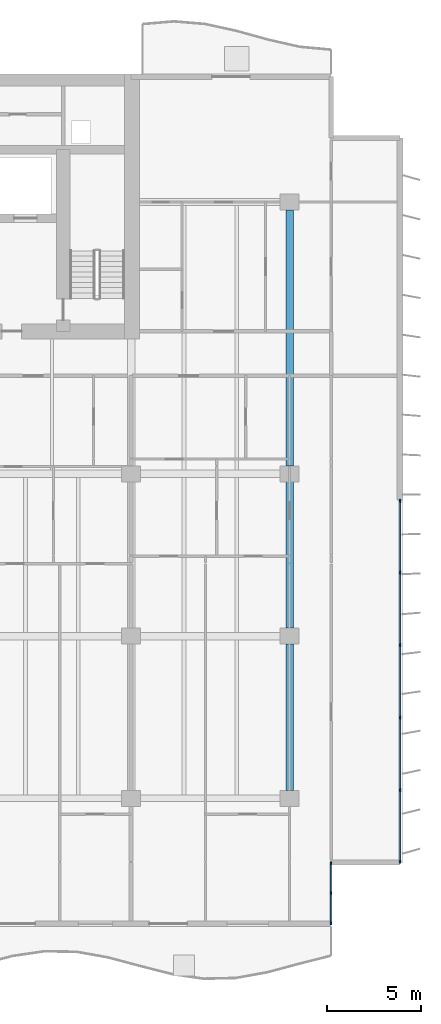
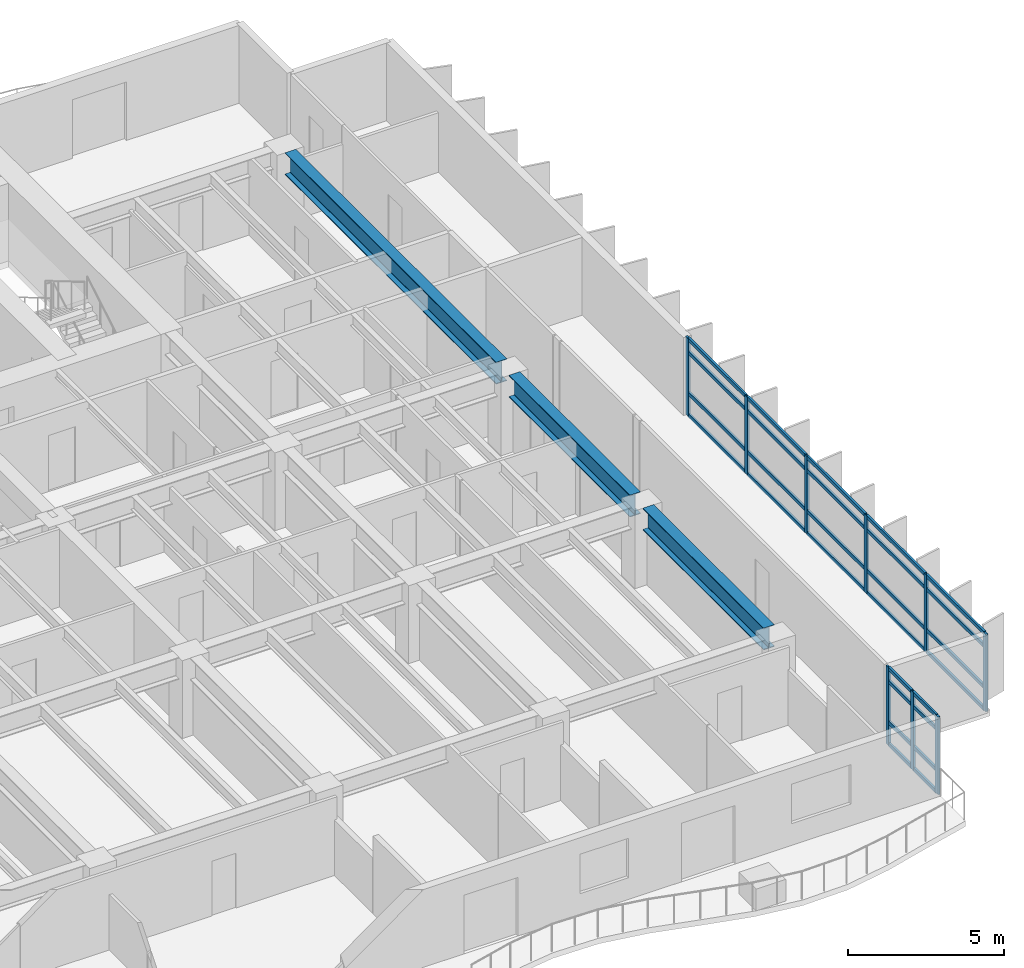
# One storey, part 4 of 17: 37 members, 3 beams, 2 elements without a shape of their own.
"""IFC4 building model written with IfcOpenShell, lengths in metres."""

from ifc_helpers import new_model, si_unit, direction, frame, origin, origin_2d, place, context, subcontext, project, spatial, rectangle, i_section, extrude, material, layer, layer_set, material_profile, profile_set, type_object, element, aggregate, save


model = new_model("IFC4")

# Units and contexts
model_context = context("Model", 3, precision=1e-05, world=origin(), true_north=direction((0.0, 1.0)))
body_context = subcontext(model_context, "Body", "Model", "MODEL_VIEW")
ifc_project = project(units=[si_unit("LENGTHUNIT", "METRE"), si_unit("AREAUNIT", "SQUARE_METRE"), si_unit("VOLUMEUNIT", "CUBIC_METRE"), si_unit("PLANEANGLEUNIT", "RADIAN"), si_unit("MASSUNIT", "GRAM", prefix="KILO")], contexts=[model_context])

# Site, building, storey
site_placement = place(None, origin())
site = spatial("IfcSite", under=ifc_project, at=site_placement, CompositionType="ELEMENT")
building_placement = place(site_placement, origin())
building = spatial("IfcBuilding", under=site, at=building_placement, Name="Caelmar Bay Residences", CompositionType="ELEMENT")
storey_placement = place(building_placement, frame((0.0, 0.0, 105.89990234375)))
storey = spatial("IfcBuildingStorey", under=building, at=storey_placement, Name="L28", CompositionType="ELEMENT", Elevation=105.89990234375)

# Beams
ifc_material_1 = material(Name="Steel ASTM A992 Grade 50", Category="steel")
ifc_material_profile_1 = material_profile(ifc_material_1, i_section(OverallWidth=0.40087890625, OverallDepth=0.861083984375, WebThickness=0.019775390625, FlangeThickness=0.032470703125, FilletRadius=0.017822265625, at=origin_2d()), Name="W33X221")
ifc_profile_set_1 = profile_set([ifc_material_profile_1], Name="Steel ASTM A992 Grade 50")
beam_type = type_object("IfcBeamType", Name="BM-GRD-W33X221", PredefinedType="BEAM", material=ifc_profile_set_1)
for number, where, z_axis, x_axis, name in (
    (1, (67.89990234375, 12.614990234375, 2.61962890625), (0.0, 1.0, 0.0), (-1.0, 0.0, 0.0), "L28 North-South Girder X=67.90 (12.2-20.8)"),
    (2, (67.89990234375, 21.215087890625, 2.61962890625), (0.0, 1.0, 0.0), (-1.0, 0.0, 0.0), "L28 North-South Girder X=67.90 (20.8-29.4)"),
):
    element("IfcBeam", number, at=place(storey_placement, frame(where, z_axis=z_axis, x_axis=x_axis)), inside=storey, type_object=beam_type, Name=name, PredefinedType="BEAM", context=body_context, shape_type="SweptSolid", body=[
        extrude(i_section(OverallWidth=0.40087890625, OverallDepth=0.861083984375, WebThickness=0.019775390625, FlangeThickness=0.032470703125, FilletRadius=0.017822265625, at=origin_2d()), origin(), (0.0, 0.0, 1.0), 7.77001953125),
    ])
beam_placement = place(storey_placement, frame((67.89990234375, 29.81494140625, 2.61962890625), z_axis=(0.0, 1.0, 0.0), x_axis=(-1.0, 0.0, 0.0)))
element("IfcBeam", 3, at=beam_placement, inside=storey, type_object=beam_type, Name="L28 North-South Girder X=67.90 (29.4-43.8)", PredefinedType="BEAM", context=body_context, shape_type="SweptSolid", body=[
    extrude(i_section(OverallWidth=0.40087890625, OverallDepth=0.861083984375, WebThickness=0.019775390625, FlangeThickness=0.032470703125, FilletRadius=0.017822265625, at=origin_2d()), origin(), (0.0, 0.0, 1.0), 13.570068359375),
])

# Curtain wall, members
ifc_material_2 = material(Name="Anodised bronze aluminium 6063-T6 and laminated glass", Category="aluminium")
ifc_layer_1 = layer(ifc_material_2, 0.179931640625)
ifc_layer_set_1 = layer_set([ifc_layer_1], Name="Anodised bronze aluminium 6063-T6 and laminated glass")
curtain_wall_type_1 = type_object("IfcCurtainWallType", Name="CW6-NTC", PredefinedType="NOTDEFINED", material=ifc_layer_set_1)
curtain_wall_1_placement = place(storey_placement, origin())
curtain_wall_1 = element("IfcCurtainWall", 4, at=curtain_wall_1_placement, inside=storey, type_object=curtain_wall_type_1, Name="CW6 curtain wall L28", PredefinedType="NOTDEFINED")
ifc_material_3 = material(Name="Anodised bronze aluminium 6063-T6", Category="aluminium")
ifc_material_profile_2 = material_profile(ifc_material_3, rectangle(XDim=0.080078125, YDim=0.179931640625, at=origin_2d()), Name="CWM-80X180")
ifc_profile_set_2 = profile_set([ifc_material_profile_2], Name="Anodised bronze aluminium 6063-T6")
member_type_1 = type_object("IfcMemberType", Name="CWM-180", PredefinedType="MULLION", material=ifc_profile_set_2)
member_1_placement = place(storey_placement, frame((70.10009765625, 5.590087890625, 0.0), z_axis=(0.0, 0.0, 1.0), x_axis=(-1.0, 0.0, 0.0)))
member_1 = element("IfcMember", 5, at=member_1_placement, type_object=member_type_1, Name="CW6 mullion 1", PredefinedType="MULLION", context=body_context, shape_type="SweptSolid", body=[
    extrude(rectangle(XDim=0.080078125, YDim=0.179931640625, at=origin_2d()), origin(), (0.0, 0.0, 1.0), 3.050048828125),
])
member_2_placement = place(storey_placement, frame((70.10009765625, 7.175048828125, 0.0), z_axis=(0.0, 0.0, 1.0), x_axis=(-1.0, 0.0, 0.0)))
member_2 = element("IfcMember", 6, at=member_2_placement, type_object=member_type_1, Name="CW6 mullion 2", PredefinedType="MULLION", context=body_context, shape_type="SweptSolid", body=[
    extrude(rectangle(XDim=0.080078125, YDim=0.179931640625, at=origin_2d()), origin(), (0.0, 0.0, 1.0), 3.050048828125),
])
member_3_placement = place(storey_placement, frame((70.10009765625, 8.760009765625, 0.0), z_axis=(0.0, 0.0, 1.0), x_axis=(-1.0, 0.0, 0.0)))
member_3 = element("IfcMember", 7, at=member_3_placement, type_object=member_type_1, Name="CW6 mullion 3", PredefinedType="MULLION", context=body_context, shape_type="SweptSolid", body=[
    extrude(rectangle(XDim=0.080078125, YDim=0.179931640625, at=origin_2d()), origin(), (0.0, 0.0, 1.0), 3.050048828125),
])

ifc_layer_2 = layer(ifc_material_2, 0.179931640625)
ifc_layer_set_2 = layer_set([ifc_layer_2], Name="Anodised bronze aluminium 6063-T6 and laminated glass")
curtain_wall_type_2 = type_object("IfcCurtainWallType", Name="CW3-Z2", PredefinedType="NOTDEFINED", material=ifc_layer_set_2)
curtain_wall_2_placement = place(storey_placement, origin())
curtain_wall_2 = element("IfcCurtainWall", 8, at=curtain_wall_2_placement, inside=storey, type_object=curtain_wall_type_2, Name="CW3 curtain wall L28", PredefinedType="NOTDEFINED")
member_4_placement = place(storey_placement, frame((73.75, 27.9599609375, 0.0), z_axis=(0.0, 0.0, 1.0), x_axis=(1.0, 0.0, 0.0)))
member_4 = element("IfcMember", 9, at=member_4_placement, type_object=member_type_1, Name="CW3 mullion 1", PredefinedType="MULLION", context=body_context, shape_type="SweptSolid", body=[
    extrude(rectangle(XDim=0.080078125, YDim=0.179931640625, at=origin_2d()), origin(), (0.0, 0.0, 1.0), 3.050048828125),
])
member_5_placement = place(storey_placement, frame((73.75, 24.159912109375, 0.0), z_axis=(0.0, 0.0, 1.0), x_axis=(1.0, 0.0, 0.0)))
member_5 = element("IfcMember", 10, at=member_5_placement, type_object=member_type_1, Name="CW3 mullion 2", PredefinedType="MULLION", context=body_context, shape_type="SweptSolid", body=[
    extrude(rectangle(XDim=0.080078125, YDim=0.179931640625, at=origin_2d()), origin(), (0.0, 0.0, 1.0), 3.050048828125),
])
member_6_placement = place(storey_placement, frame((73.75, 20.320068359375, 0.0), z_axis=(0.0, 0.0, 1.0), x_axis=(1.0, 0.0, 0.0)))
member_6 = element("IfcMember", 11, at=member_6_placement, type_object=member_type_1, Name="CW3 mullion 3", PredefinedType="MULLION", context=body_context, shape_type="SweptSolid", body=[
    extrude(rectangle(XDim=0.080078125, YDim=0.179931640625, at=origin_2d()), origin(), (0.0, 0.0, 1.0), 3.050048828125),
])
member_7_placement = place(storey_placement, frame((73.75, 16.47998046875, 0.0), z_axis=(0.0, 0.0, 1.0), x_axis=(1.0, 0.0, 0.0)))
member_7 = element("IfcMember", 12, at=member_7_placement, type_object=member_type_1, Name="CW3 mullion 4", PredefinedType="MULLION", context=body_context, shape_type="SweptSolid", body=[
    extrude(rectangle(XDim=0.080078125, YDim=0.179931640625, at=origin_2d()), origin(), (0.0, 0.0, 1.0), 3.050048828125),
])
member_8_placement = place(storey_placement, frame((73.75, 12.639892578125, 0.0), z_axis=(0.0, 0.0, 1.0), x_axis=(1.0, 0.0, 0.0)))
member_8 = element("IfcMember", 13, at=member_8_placement, type_object=member_type_1, Name="CW3 mullion 5", PredefinedType="MULLION", context=body_context, shape_type="SweptSolid", body=[
    extrude(rectangle(XDim=0.080078125, YDim=0.179931640625, at=origin_2d()), origin(), (0.0, 0.0, 1.0), 3.050048828125),
])
member_9_placement = place(storey_placement, frame((73.75, 8.840087890625, 0.0), z_axis=(0.0, 0.0, 1.0), x_axis=(1.0, 0.0, 0.0)))
member_9 = element("IfcMember", 14, at=member_9_placement, type_object=member_type_1, Name="CW3 mullion 6", PredefinedType="MULLION", context=body_context, shape_type="SweptSolid", body=[
    extrude(rectangle(XDim=0.080078125, YDim=0.179931640625, at=origin_2d()), origin(), (0.0, 0.0, 1.0), 3.050048828125),
])

# Member
ifc_material_profile_3 = material_profile(ifc_material_3, rectangle(XDim=0.080078125, YDim=0.139892578125, at=origin_2d()), Name="CWT-80X140")
ifc_profile_set_3 = profile_set([ifc_material_profile_3], Name="Anodised bronze aluminium 6063-T6")
member_type_2 = type_object("IfcMemberType", Name="CWT-140", PredefinedType="NOTDEFINED", material=ifc_profile_set_3)
member_10_placement = place(storey_placement, frame((70.10009765625, 5.6298828125, 0.0400390625), z_axis=(0.0, 1.0, 0.0), x_axis=(-1.0, 0.0, 0.0)))
member_10 = element("IfcMember", 15, at=member_10_placement, type_object=member_type_2, Name="CW6 transom 1.1", ObjectType="TRANSOM", PredefinedType="USERDEFINED", context=body_context, shape_type="SweptSolid", body=[
    extrude(rectangle(XDim=0.080078125, YDim=0.139892578125, at=origin_2d()), origin(), (0.0, 0.0, 1.0), 1.505126953125),
])

member_11_placement = place(storey_placement, frame((70.10009765625, 5.6298828125, 0.900146484375), z_axis=(0.0, 1.0, 0.0), x_axis=(-1.0, 0.0, 0.0)))
member_11 = element("IfcMember", 16, at=member_11_placement, type_object=member_type_2, Name="CW6 transom 1.2", ObjectType="TRANSOM", PredefinedType="USERDEFINED", context=body_context, shape_type="SweptSolid", body=[
    extrude(rectangle(XDim=0.080078125, YDim=0.139892578125, at=origin_2d()), origin(), (0.0, 0.0, 1.0), 1.505126953125),
])

member_12_placement = place(storey_placement, frame((70.10009765625, 5.6298828125, 2.5), z_axis=(0.0, 1.0, 0.0), x_axis=(-1.0, 0.0, 0.0)))
member_12 = element("IfcMember", 17, at=member_12_placement, type_object=member_type_2, Name="CW6 transom 1.3", ObjectType="TRANSOM", PredefinedType="USERDEFINED", context=body_context, shape_type="SweptSolid", body=[
    extrude(rectangle(XDim=0.080078125, YDim=0.139892578125, at=origin_2d()), origin(), (0.0, 0.0, 1.0), 1.505126953125),
])

member_13_placement = place(storey_placement, frame((70.10009765625, 5.6298828125, 3.010009765625), z_axis=(0.0, 1.0, 0.0), x_axis=(-1.0, 0.0, 0.0)))
member_13 = element("IfcMember", 18, at=member_13_placement, type_object=member_type_2, Name="CW6 transom 1.4", ObjectType="TRANSOM", PredefinedType="USERDEFINED", context=body_context, shape_type="SweptSolid", body=[
    extrude(rectangle(XDim=0.080078125, YDim=0.139892578125, at=origin_2d()), origin(), (0.0, 0.0, 1.0), 1.505126953125),
])

member_14_placement = place(storey_placement, frame((70.10009765625, 7.215087890625, 0.0400390625), z_axis=(0.0, 1.0, 0.0), x_axis=(-1.0, 0.0, 0.0)))
member_14 = element("IfcMember", 19, at=member_14_placement, type_object=member_type_2, Name="CW6 transom 2.1", ObjectType="TRANSOM", PredefinedType="USERDEFINED", context=body_context, shape_type="SweptSolid", body=[
    extrude(rectangle(XDim=0.080078125, YDim=0.139892578125, at=origin_2d()), origin(), (0.0, 0.0, 1.0), 1.5048828125),
])

member_15_placement = place(storey_placement, frame((70.10009765625, 7.215087890625, 0.900146484375), z_axis=(0.0, 1.0, 0.0), x_axis=(-1.0, 0.0, 0.0)))
member_15 = element("IfcMember", 20, at=member_15_placement, type_object=member_type_2, Name="CW6 transom 2.2", ObjectType="TRANSOM", PredefinedType="USERDEFINED", context=body_context, shape_type="SweptSolid", body=[
    extrude(rectangle(XDim=0.080078125, YDim=0.139892578125, at=origin_2d()), origin(), (0.0, 0.0, 1.0), 1.5048828125),
])

member_16_placement = place(storey_placement, frame((70.10009765625, 7.215087890625, 2.5), z_axis=(0.0, 1.0, 0.0), x_axis=(-1.0, 0.0, 0.0)))
member_16 = element("IfcMember", 21, at=member_16_placement, type_object=member_type_2, Name="CW6 transom 2.3", ObjectType="TRANSOM", PredefinedType="USERDEFINED", context=body_context, shape_type="SweptSolid", body=[
    extrude(rectangle(XDim=0.080078125, YDim=0.139892578125, at=origin_2d()), origin(), (0.0, 0.0, 1.0), 1.5048828125),
])

member_17_placement = place(storey_placement, frame((70.10009765625, 7.215087890625, 3.010009765625), z_axis=(0.0, 1.0, 0.0), x_axis=(-1.0, 0.0, 0.0)))
member_17 = element("IfcMember", 22, at=member_17_placement, type_object=member_type_2, Name="CW6 transom 2.4", ObjectType="TRANSOM", PredefinedType="USERDEFINED", context=body_context, shape_type="SweptSolid", body=[
    extrude(rectangle(XDim=0.080078125, YDim=0.139892578125, at=origin_2d()), origin(), (0.0, 0.0, 1.0), 1.5048828125),
])

aggregate(curtain_wall_1, [member_1, member_2, member_3, member_10, member_11, member_12, member_13, member_14, member_15, member_16, member_17])

member_18_placement = place(storey_placement, frame((73.75, 27.919921875, 0.0400390625), z_axis=(0.0, -1.0, 0.0), x_axis=(1.0, 0.0, 0.0)))
member_18 = element("IfcMember", 23, at=member_18_placement, type_object=member_type_2, Name="CW3 transom 1.1", ObjectType="TRANSOM", PredefinedType="USERDEFINED", context=body_context, shape_type="SweptSolid", body=[
    extrude(rectangle(XDim=0.080078125, YDim=0.139892578125, at=origin_2d()), origin(), (0.0, 0.0, 1.0), 3.719970703125),
])

member_19_placement = place(storey_placement, frame((73.75, 27.919921875, 0.900146484375), z_axis=(0.0, -1.0, 0.0), x_axis=(1.0, 0.0, 0.0)))
member_19 = element("IfcMember", 24, at=member_19_placement, type_object=member_type_2, Name="CW3 transom 1.2", ObjectType="TRANSOM", PredefinedType="USERDEFINED", context=body_context, shape_type="SweptSolid", body=[
    extrude(rectangle(XDim=0.080078125, YDim=0.139892578125, at=origin_2d()), origin(), (0.0, 0.0, 1.0), 3.719970703125),
])

member_20_placement = place(storey_placement, frame((73.75, 27.919921875, 2.5), z_axis=(0.0, -1.0, 0.0), x_axis=(1.0, 0.0, 0.0)))
member_20 = element("IfcMember", 25, at=member_20_placement, type_object=member_type_2, Name="CW3 transom 1.3", ObjectType="TRANSOM", PredefinedType="USERDEFINED", context=body_context, shape_type="SweptSolid", body=[
    extrude(rectangle(XDim=0.080078125, YDim=0.139892578125, at=origin_2d()), origin(), (0.0, 0.0, 1.0), 3.719970703125),
])

member_21_placement = place(storey_placement, frame((73.75, 27.919921875, 3.010009765625), z_axis=(0.0, -1.0, 0.0), x_axis=(1.0, 0.0, 0.0)))
member_21 = element("IfcMember", 26, at=member_21_placement, type_object=member_type_2, Name="CW3 transom 1.4", ObjectType="TRANSOM", PredefinedType="USERDEFINED", context=body_context, shape_type="SweptSolid", body=[
    extrude(rectangle(XDim=0.080078125, YDim=0.139892578125, at=origin_2d()), origin(), (0.0, 0.0, 1.0), 3.719970703125),
])

member_22_placement = place(storey_placement, frame((73.75, 24.1201171875, 0.0400390625), z_axis=(0.0, -1.0, 0.0), x_axis=(1.0, 0.0, 0.0)))
member_22 = element("IfcMember", 27, at=member_22_placement, type_object=member_type_2, Name="CW3 transom 2.1", ObjectType="TRANSOM", PredefinedType="USERDEFINED", context=body_context, shape_type="SweptSolid", body=[
    extrude(rectangle(XDim=0.080078125, YDim=0.139892578125, at=origin_2d()), origin(), (0.0, 0.0, 1.0), 3.760009765625),
])

member_23_placement = place(storey_placement, frame((73.75, 24.1201171875, 0.900146484375), z_axis=(0.0, -1.0, 0.0), x_axis=(1.0, 0.0, 0.0)))
member_23 = element("IfcMember", 28, at=member_23_placement, type_object=member_type_2, Name="CW3 transom 2.2", ObjectType="TRANSOM", PredefinedType="USERDEFINED", context=body_context, shape_type="SweptSolid", body=[
    extrude(rectangle(XDim=0.080078125, YDim=0.139892578125, at=origin_2d()), origin(), (0.0, 0.0, 1.0), 3.760009765625),
])

member_24_placement = place(storey_placement, frame((73.75, 24.1201171875, 2.5), z_axis=(0.0, -1.0, 0.0), x_axis=(1.0, 0.0, 0.0)))
member_24 = element("IfcMember", 29, at=member_24_placement, type_object=member_type_2, Name="CW3 transom 2.3", ObjectType="TRANSOM", PredefinedType="USERDEFINED", context=body_context, shape_type="SweptSolid", body=[
    extrude(rectangle(XDim=0.080078125, YDim=0.139892578125, at=origin_2d()), origin(), (0.0, 0.0, 1.0), 3.760009765625),
])

member_25_placement = place(storey_placement, frame((73.75, 24.1201171875, 3.010009765625), z_axis=(0.0, -1.0, 0.0), x_axis=(1.0, 0.0, 0.0)))
member_25 = element("IfcMember", 30, at=member_25_placement, type_object=member_type_2, Name="CW3 transom 2.4", ObjectType="TRANSOM", PredefinedType="USERDEFINED", context=body_context, shape_type="SweptSolid", body=[
    extrude(rectangle(XDim=0.080078125, YDim=0.139892578125, at=origin_2d()), origin(), (0.0, 0.0, 1.0), 3.760009765625),
])

member_26_placement = place(storey_placement, frame((73.75, 20.280029296875, 0.0400390625), z_axis=(0.0, -1.0, 0.0), x_axis=(1.0, 0.0, 0.0)))
member_26 = element("IfcMember", 31, at=member_26_placement, type_object=member_type_2, Name="CW3 transom 3.1", ObjectType="TRANSOM", PredefinedType="USERDEFINED", context=body_context, shape_type="SweptSolid", body=[
    extrude(rectangle(XDim=0.080078125, YDim=0.139892578125, at=origin_2d()), origin(), (0.0, 0.0, 1.0), 3.760009765625),
])

member_27_placement = place(storey_placement, frame((73.75, 20.280029296875, 0.900146484375), z_axis=(0.0, -1.0, 0.0), x_axis=(1.0, 0.0, 0.0)))
member_27 = element("IfcMember", 32, at=member_27_placement, type_object=member_type_2, Name="CW3 transom 3.2", ObjectType="TRANSOM", PredefinedType="USERDEFINED", context=body_context, shape_type="SweptSolid", body=[
    extrude(rectangle(XDim=0.080078125, YDim=0.139892578125, at=origin_2d()), origin(), (0.0, 0.0, 1.0), 3.760009765625),
])

member_28_placement = place(storey_placement, frame((73.75, 20.280029296875, 2.5), z_axis=(0.0, -1.0, 0.0), x_axis=(1.0, 0.0, 0.0)))
member_28 = element("IfcMember", 33, at=member_28_placement, type_object=member_type_2, Name="CW3 transom 3.3", ObjectType="TRANSOM", PredefinedType="USERDEFINED", context=body_context, shape_type="SweptSolid", body=[
    extrude(rectangle(XDim=0.080078125, YDim=0.139892578125, at=origin_2d()), origin(), (0.0, 0.0, 1.0), 3.760009765625),
])

member_29_placement = place(storey_placement, frame((73.75, 20.280029296875, 3.010009765625), z_axis=(0.0, -1.0, 0.0), x_axis=(1.0, 0.0, 0.0)))
member_29 = element("IfcMember", 34, at=member_29_placement, type_object=member_type_2, Name="CW3 transom 3.4", ObjectType="TRANSOM", PredefinedType="USERDEFINED", context=body_context, shape_type="SweptSolid", body=[
    extrude(rectangle(XDim=0.080078125, YDim=0.139892578125, at=origin_2d()), origin(), (0.0, 0.0, 1.0), 3.760009765625),
])

member_30_placement = place(storey_placement, frame((73.75, 16.43994140625, 0.0400390625), z_axis=(0.0, -1.0, 0.0), x_axis=(1.0, 0.0, 0.0)))
member_30 = element("IfcMember", 35, at=member_30_placement, type_object=member_type_2, Name="CW3 transom 4.1", ObjectType="TRANSOM", PredefinedType="USERDEFINED", context=body_context, shape_type="SweptSolid", body=[
    extrude(rectangle(XDim=0.080078125, YDim=0.139892578125, at=origin_2d()), origin(), (0.0, 0.0, 1.0), 3.760009765625),
])

member_31_placement = place(storey_placement, frame((73.75, 16.43994140625, 0.900146484375), z_axis=(0.0, -1.0, 0.0), x_axis=(1.0, 0.0, 0.0)))
member_31 = element("IfcMember", 36, at=member_31_placement, type_object=member_type_2, Name="CW3 transom 4.2", ObjectType="TRANSOM", PredefinedType="USERDEFINED", context=body_context, shape_type="SweptSolid", body=[
    extrude(rectangle(XDim=0.080078125, YDim=0.139892578125, at=origin_2d()), origin(), (0.0, 0.0, 1.0), 3.760009765625),
])

member_32_placement = place(storey_placement, frame((73.75, 16.43994140625, 2.5), z_axis=(0.0, -1.0, 0.0), x_axis=(1.0, 0.0, 0.0)))
member_32 = element("IfcMember", 37, at=member_32_placement, type_object=member_type_2, Name="CW3 transom 4.3", ObjectType="TRANSOM", PredefinedType="USERDEFINED", context=body_context, shape_type="SweptSolid", body=[
    extrude(rectangle(XDim=0.080078125, YDim=0.139892578125, at=origin_2d()), origin(), (0.0, 0.0, 1.0), 3.760009765625),
])

member_33_placement = place(storey_placement, frame((73.75, 16.43994140625, 3.010009765625), z_axis=(0.0, -1.0, 0.0), x_axis=(1.0, 0.0, 0.0)))
member_33 = element("IfcMember", 38, at=member_33_placement, type_object=member_type_2, Name="CW3 transom 4.4", ObjectType="TRANSOM", PredefinedType="USERDEFINED", context=body_context, shape_type="SweptSolid", body=[
    extrude(rectangle(XDim=0.080078125, YDim=0.139892578125, at=origin_2d()), origin(), (0.0, 0.0, 1.0), 3.760009765625),
])

member_34_placement = place(storey_placement, frame((73.75, 12.60009765625, 0.0400390625), z_axis=(0.0, -1.0, 0.0), x_axis=(1.0, 0.0, 0.0)))
member_34 = element("IfcMember", 39, at=member_34_placement, type_object=member_type_2, Name="CW3 transom 5.1", ObjectType="TRANSOM", PredefinedType="USERDEFINED", context=body_context, shape_type="SweptSolid", body=[
    extrude(rectangle(XDim=0.080078125, YDim=0.139892578125, at=origin_2d()), origin(), (0.0, 0.0, 1.0), 3.72021484375),
])

member_35_placement = place(storey_placement, frame((73.75, 12.60009765625, 0.900146484375), z_axis=(0.0, -1.0, 0.0), x_axis=(1.0, 0.0, 0.0)))
member_35 = element("IfcMember", 40, at=member_35_placement, type_object=member_type_2, Name="CW3 transom 5.2", ObjectType="TRANSOM", PredefinedType="USERDEFINED", context=body_context, shape_type="SweptSolid", body=[
    extrude(rectangle(XDim=0.080078125, YDim=0.139892578125, at=origin_2d()), origin(), (0.0, 0.0, 1.0), 3.72021484375),
])

member_36_placement = place(storey_placement, frame((73.75, 12.60009765625, 2.5), z_axis=(0.0, -1.0, 0.0), x_axis=(1.0, 0.0, 0.0)))
member_36 = element("IfcMember", 41, at=member_36_placement, type_object=member_type_2, Name="CW3 transom 5.3", ObjectType="TRANSOM", PredefinedType="USERDEFINED", context=body_context, shape_type="SweptSolid", body=[
    extrude(rectangle(XDim=0.080078125, YDim=0.139892578125, at=origin_2d()), origin(), (0.0, 0.0, 1.0), 3.72021484375),
])

member_37_placement = place(storey_placement, frame((73.75, 12.60009765625, 3.010009765625), z_axis=(0.0, -1.0, 0.0), x_axis=(1.0, 0.0, 0.0)))
member_37 = element("IfcMember", 42, at=member_37_placement, type_object=member_type_2, Name="CW3 transom 5.4", ObjectType="TRANSOM", PredefinedType="USERDEFINED", context=body_context, shape_type="SweptSolid", body=[
    extrude(rectangle(XDim=0.080078125, YDim=0.139892578125, at=origin_2d()), origin(), (0.0, 0.0, 1.0), 3.72021484375),
])

aggregate(curtain_wall_2, [member_4, member_5, member_6, member_7, member_8, member_9, member_18, member_19, member_20, member_21, member_22, member_23, member_24, member_25, member_26, member_27, member_28, member_29, member_30, member_31, member_32, member_33, member_34, member_35, member_36, member_37])

save(model, "model.ifc")
